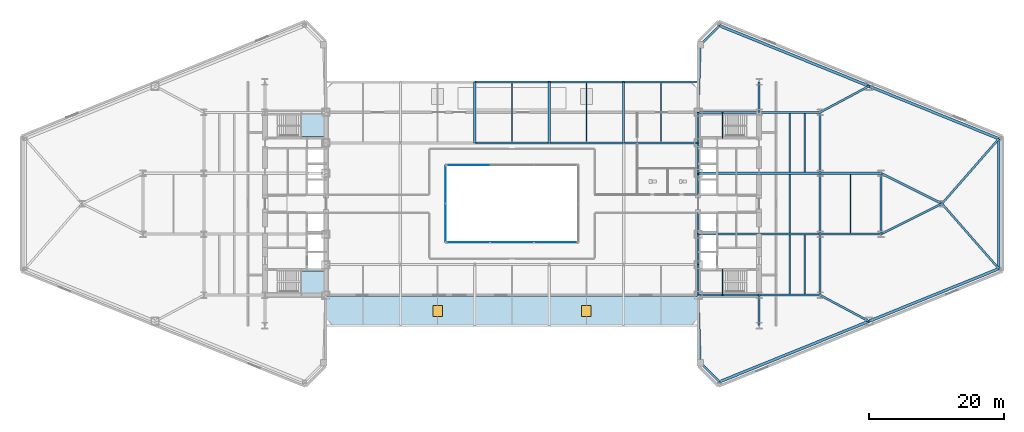
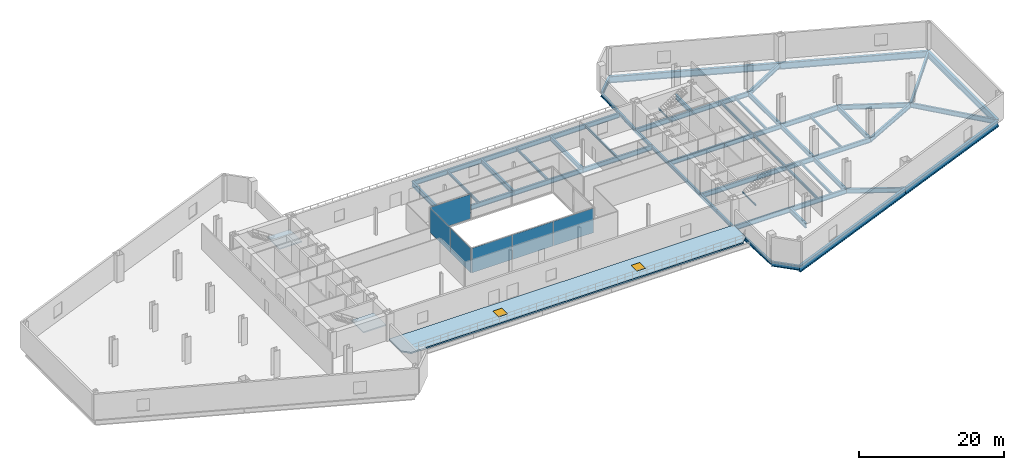
# One storey, part 13 of 23: 56 beams, 6 plates, 3 slabs, 2 windows, 2 openings, 5 elements without a shape of their own.
"""IFC4 building model written with IfcOpenShell, lengths in metres."""

from ifc_helpers import new_model, si_unit, direction, frame, origin, origin_2d, place, context, subcontext, project, spatial, polyline, rectangle, i_section, outline, extrude, source, transform, mapped, material, layer, layer_set, material_profile, profile_set, type_object, type_shapes, element, fill, aggregate, save


model = new_model("IFC4")

# Units and contexts
model_context = context("Model", 3, precision=1e-05, world=origin(), true_north=direction((0.0, 1.0)))
body_context = subcontext(model_context, "Body", "Model", "MODEL_VIEW")
ifc_project = project(units=[si_unit("LENGTHUNIT", "METRE"), si_unit("AREAUNIT", "SQUARE_METRE"), si_unit("VOLUMEUNIT", "CUBIC_METRE"), si_unit("PLANEANGLEUNIT", "RADIAN"), si_unit("MASSUNIT", "GRAM", prefix="KILO")], contexts=[model_context])

# Site, building, storey
site_placement = place(None, origin())
site = spatial("IfcSite", under=ifc_project, at=site_placement, CompositionType="ELEMENT")
building_placement = place(site_placement, origin())
building = spatial("IfcBuilding", under=site, at=building_placement, Name="Seokmaru Belvedere", CompositionType="ELEMENT")
storey_placement = place(building_placement, frame((0.0, 0.0, 14.39990234375)))
storey = spatial("IfcBuildingStorey", under=building, at=storey_placement, Name="L03", CompositionType="ELEMENT", Elevation=14.39990234375)

# Beams
ifc_material_1 = material(Name="Steel SM355 (355 MPa)", Category="steel")
ifc_material_profile_1 = material_profile(ifc_material_1, i_section(OverallWidth=0.300048828125, OverallDepth=0.587890625, WebThickness=0.011962890625, FlangeThickness=0.02001953125, at=origin_2d()), Name="H-588x300x12x20")
ifc_profile_set_1 = profile_set([ifc_material_profile_1], Name="Steel SM355 (355 MPa)")
beam_type_1 = type_object("IfcBeamType", Name="Podium Edge Spandrel Beam H-588", PredefinedType="SPANDREL", material=ifc_profile_set_1)
shared_shape_1 = source(origin(), body_context, "Body", "SweptSolid", [
    extrude(i_section(OverallWidth=0.300048828125, OverallDepth=0.587890625, WebThickness=0.011962890625, FlangeThickness=0.02001953125, at=origin_2d()), origin(), (0.0, 0.0, 1.0), 4.5),
])
for number, where, z_axis, x_axis, name in (
    (1, (27.5, -13.5, -0.573974609375), (0.0, 1.0, 0.0), (-1.0, 0.0, 0.0), "L03 E Portal Spine Spandrel 1"),
    (2, (27.5, -9.0, -0.573974609375), (0.0, 1.0, 0.0), (-1.0, 0.0, 0.0), "L03 E Portal Spine Spandrel 2"),
    (3, (27.5, 4.5, -0.573974609375), (0.0, 1.0, 0.0), (-1.0, 0.0, 0.0), "L03 E Portal Spine Spandrel 4"),
    (4, (27.5, 9.0, -0.573974609375), (0.0, 1.0, 0.0), (-1.0, 0.0, 0.0), "L03 E Portal Spine Spandrel 5"),
):
    element("IfcBeam", number, at=place(storey_placement, frame(where, z_axis=z_axis, x_axis=x_axis)), inside=storey, type_object=beam_type_1, Name=name, PredefinedType="SPANDREL", context=body_context, shape_type="MappedRepresentation", body=[
        mapped(shared_shape_1, transform((0.0, 0.0, 0.0), scale=1.0)),
    ])
shared_shape_2 = source(origin(), body_context, "Body", "SweptSolid", [
    extrude(i_section(OverallWidth=0.300048828125, OverallDepth=0.587890625, WebThickness=0.011962890625, FlangeThickness=0.02001953125, at=origin_2d()), origin(), (0.0, 0.0, 1.0), 9.0),
])
beam_1_placement = place(storey_placement, frame((27.5, -4.5, -0.573974609375), z_axis=(0.0, 1.0, 0.0), x_axis=(-1.0, 0.0, 0.0)))
element("IfcBeam", 5, at=beam_1_placement, inside=storey, type_object=beam_type_1, Name="L03 E Portal Spine Spandrel 3", PredefinedType="SPANDREL", context=body_context, shape_type="MappedRepresentation", body=[
    mapped(shared_shape_2, transform((0.0, 0.0, 0.0), scale=1.0)),
])
ifc_material_profile_2 = material_profile(ifc_material_1, i_section(OverallWidth=0.39990234375, OverallDepth=1.10009765625, WebThickness=0.02001953125, FlangeThickness=0.033935546875, at=origin_2d()), Name="BH-1100x400x20x34")
ifc_profile_set_2 = profile_set([ifc_material_profile_2], Name="Steel SM355 (355 MPa)")
beam_type_2 = type_object("IfcBeamType", Name="Sky-Gate Transverse Girder BH-1100", PredefinedType="BEAM", material=ifc_profile_set_2)
shared_shape_3 = source(origin(), body_context, "Body", "SweptSolid", [
    extrude(i_section(OverallWidth=0.39990234375, OverallDepth=1.10009765625, WebThickness=0.02001953125, FlangeThickness=0.033935546875, at=origin_2d()), origin(), (0.0, 0.0, 1.0), 23.811767578125),
])
for number, where, z_axis, x_axis, name in (
    (6, (30.643310546875, -26.294677734375, -0.829833984375), (0.92694579442, 0.375195274766, 0.0), (-0.375195274766, 0.92694579442, 0.0), "L03 E Podium Long-Span Flank Girder S-1"),
    (7, (30.643310546875, 26.294677734375, -0.829833984375), (0.92694579442, -0.375195274766, 0.0), (0.375195274766, 0.92694579442, 0.0), "L03 E Podium Long-Span Flank Girder N-1"),
):
    element("IfcBeam", number, at=place(storey_placement, frame(where, z_axis=z_axis, x_axis=x_axis)), inside=storey, type_object=beam_type_2, Name=name, PredefinedType="BEAM", context=body_context, shape_type="MappedRepresentation", body=[
        mapped(shared_shape_3, transform((0.0, 0.0, 0.0), scale=1.0)),
    ])
shared_shape_4 = source(origin(), body_context, "Body", "SweptSolid", [
    extrude(i_section(OverallWidth=0.39990234375, OverallDepth=1.10009765625, WebThickness=0.02001953125, FlangeThickness=0.033935546875, at=origin_2d()), origin(), (0.0, 0.0, 1.0), 20.6962890625),
])
for number, where, z_axis, x_axis, name in (
    (8, (52.715576171875, -17.360595703125, -0.829833984375), (0.92695003666, 0.37518479385, 0.0), (-0.37518479385, 0.92695003666, 0.0), "L03 E Podium Long-Span Flank Girder S-2"),
    (9, (52.715576171875, 17.360595703125, -0.829833984375), (0.92695003666, -0.37518479385, 0.0), (0.37518479385, 0.92695003666, 0.0), "L03 E Podium Long-Span Flank Girder N-2"),
):
    element("IfcBeam", number, at=place(storey_placement, frame(where, z_axis=z_axis, x_axis=x_axis)), inside=storey, type_object=beam_type_2, Name=name, PredefinedType="BEAM", context=body_context, shape_type="MappedRepresentation", body=[
        mapped(shared_shape_4, transform((0.0, 0.0, 0.0), scale=1.0)),
    ])
shared_shape_5 = source(origin(), body_context, "Body", "SweptSolid", [
    extrude(i_section(OverallWidth=0.39990234375, OverallDepth=1.10009765625, WebThickness=0.02001953125, FlangeThickness=0.033935546875, at=origin_2d()), origin(), (0.0, 0.0, 1.0), 19.19140625),
])
type_shapes(beam_type_2, [shared_shape_3, shared_shape_4, shared_shape_5])
beam_2_placement = place(storey_placement, frame((71.89990234375, -9.595703125, -0.829833984375), z_axis=(0.0, 1.0, 0.0), x_axis=(-1.0, 0.0, 0.0)))
element("IfcBeam", 10, at=beam_2_placement, inside=storey, type_object=beam_type_2, Name="L03 E Podium Long-Span Apex Girder", PredefinedType="BEAM", context=body_context, shape_type="MappedRepresentation", body=[
    mapped(shared_shape_5, transform((0.0, 0.0, 0.0), scale=1.0)),
])
shared_shape_6 = source(origin(), body_context, "Body", "SweptSolid", [
    extrude(i_section(OverallWidth=0.300048828125, OverallDepth=0.587890625, WebThickness=0.011962890625, FlangeThickness=0.02001953125, at=origin_2d()), origin(), (0.0, 0.0, 1.0), 9.9560546875),
])
type_shapes(beam_type_1, [shared_shape_1, shared_shape_2, shared_shape_6])
for number, where, z_axis, x_axis, name in (
    (11, (27.800048828125, -23.451416015625, -0.573974609375), (-0.030137674137, 0.999545757131, 0.0), (-0.999545757131, -0.030137674137, 0.0), "L03 E Podium Spine Shoulder Tie S"),
    (12, (27.800048828125, 23.451416015625, -0.573974609375), (-0.030137674137, -0.999545757131, 0.0), (0.999545757131, -0.030137674137, 0.0), "L03 E Podium Spine Shoulder Tie N"),
):
    element("IfcBeam", number, at=place(storey_placement, frame(where, z_axis=z_axis, x_axis=x_axis)), inside=storey, type_object=beam_type_1, Name=name, PredefinedType="SPANDREL", context=body_context, shape_type="MappedRepresentation", body=[
        mapped(shared_shape_6, transform((0.0, 0.0, 0.0), scale=1.0)),
    ])
ifc_material_profile_3 = material_profile(ifc_material_1, i_section(OverallWidth=0.300048828125, OverallDepth=0.800048828125, WebThickness=0.013916015625, FlangeThickness=0.02587890625, at=origin_2d()), Name="H-800x300x14x26")
ifc_profile_set_3 = profile_set([ifc_material_profile_3], Name="Steel SM355 (355 MPa)")
beam_type_3 = type_object("IfcBeamType", Name="Podium Primary Girder H-800", PredefinedType="BEAM", material=ifc_profile_set_3)
shared_shape_7 = source(origin(), body_context, "Body", "SweptSolid", [
    extrude(i_section(OverallWidth=0.300048828125, OverallDepth=0.800048828125, WebThickness=0.013916015625, FlangeThickness=0.02587890625, at=origin_2d()), origin(), (0.0, 0.0, 1.0), 4.5),
])
for number, where, z_axis, x_axis, name in (
    (13, (36.5, -18.0, -0.679931640625), (0.0, 1.0, 0.0), (-1.0, 0.0, 0.0), "L03 E Core Shoulder Girder S"),
    (14, (36.5, 13.5, -0.679931640625), (0.0, 1.0, 0.0), (-1.0, 0.0, 0.0), "L03 E Core Shoulder Girder N"),
):
    element("IfcBeam", number, at=place(storey_placement, frame(where, z_axis=z_axis, x_axis=x_axis)), inside=storey, type_object=beam_type_3, Name=name, PredefinedType="BEAM", context=body_context, shape_type="MappedRepresentation", body=[
        mapped(shared_shape_7, transform((0.0, 0.0, 0.0), scale=1.0)),
    ])
shared_shape_8 = source(origin(), body_context, "Body", "SweptSolid", [
    extrude(i_section(OverallWidth=0.300048828125, OverallDepth=0.800048828125, WebThickness=0.013916015625, FlangeThickness=0.02587890625, at=origin_2d()), origin(), (0.0, 0.0, 1.0), 9.0),
])
for number, where, z_axis, x_axis, name in (
    (15, (45.5, -13.5, -0.679931640625), (0.0, 1.0, 0.0), (-1.0, 0.0, 0.0), "L03 E Interior Grid Girder 1"),
    (16, (45.5, -4.5, -0.679931640625), (0.0, 1.0, 0.0), (-1.0, 0.0, 0.0), "L03 E Interior Grid Girder 2"),
    (17, (45.5, 4.5, -0.679931640625), (0.0, 1.0, 0.0), (-1.0, 0.0, 0.0), "L03 E Interior Grid Girder 3"),
    (18, (27.5, -13.5, -0.679931640625), (1.0, 0.0, 0.0), (0.0, 1.0, 0.0), "L03 E Core Tie Girder 1"),
    (19, (36.5, -13.5, -0.679931640625), (1.0, 0.0, 0.0), (0.0, 1.0, 0.0), "L03 E Wing Primary Girder 1"),
    (20, (27.5, -4.5, -0.679931640625), (1.0, 0.0, 0.0), (0.0, 1.0, 0.0), "L03 E Core Tie Girder 2"),
    (21, (36.5, -4.5, -0.679931640625), (1.0, 0.0, 0.0), (0.0, 1.0, 0.0), "L03 E Wing Primary Girder 2"),
    (22, (27.5, 4.5, -0.679931640625), (1.0, 0.0, 0.0), (0.0, 1.0, 0.0), "L03 E Core Tie Girder 3"),
    (23, (36.5, 4.5, -0.679931640625), (1.0, 0.0, 0.0), (0.0, 1.0, 0.0), "L03 E Wing Primary Girder 3"),
    (24, (27.5, 13.5, -0.679931640625), (1.0, 0.0, 0.0), (0.0, 1.0, 0.0), "L03 E Core Tie Girder 4"),
    (25, (36.5, 13.5, -0.679931640625), (1.0, 0.0, 0.0), (0.0, 1.0, 0.0), "L03 E Wing Primary Girder 4"),
    (26, (45.5, -4.5, -0.679931640625), (1.0, 0.0, 0.0), (0.0, 1.0, 0.0), "L03 E Outer Wing Girder 1"),
    (27, (45.5, 4.5, -0.679931640625), (1.0, 0.0, 0.0), (0.0, 1.0, 0.0), "L03 E Outer Wing Girder 2"),
    (28, (54.5, -4.5, -0.679931640625), (0.0, 1.0, 0.0), (-1.0, 0.0, 0.0), "L03 E Apex Frame Girder"),
    (29, (-5.5, 9.0, -0.679931640625), (0.0, 1.0, 0.0), (-1.0, 0.0, 0.0), "L03 Central Podium Transverse Girder 2-3"),
    (30, (5.5, 9.0, -0.679931640625), (0.0, 1.0, 0.0), (-1.0, 0.0, 0.0), "L03 Central Podium Transverse Girder 3-3"),
    (31, (16.5, 9.0, -0.679931640625), (0.0, 1.0, 0.0), (-1.0, 0.0, 0.0), "L03 Central Podium Transverse Girder 4-3"),
):
    element("IfcBeam", number, at=place(storey_placement, frame(where, z_axis=z_axis, x_axis=x_axis)), inside=storey, type_object=beam_type_3, Name=name, PredefinedType="BEAM", context=body_context, shape_type="MappedRepresentation", body=[
        mapped(shared_shape_8, transform((0.0, 0.0, 0.0), scale=1.0)),
    ])
shared_shape_9 = source(origin(), body_context, "Body", "SweptSolid", [
    extrude(i_section(OverallWidth=0.300048828125, OverallDepth=0.800048828125, WebThickness=0.013916015625, FlangeThickness=0.02587890625, at=origin_2d()), origin(), (0.0, 0.0, 1.0), 10.062255859375),
])
for number, where, z_axis, x_axis, name in (
    (32, (54.5, -4.5, -0.679931640625), (0.894427191, 0.4472135955, 0.0), (-0.4472135955, 0.894427191, 0.0), "L03 E Apex Converging Girder 1"),
    (33, (54.5, 4.5, -0.679931640625), (0.894427191, -0.4472135955, 0.0), (0.4472135955, 0.894427191, 0.0), "L03 E Apex Converging Girder 2"),
):
    element("IfcBeam", number, at=place(storey_placement, frame(where, z_axis=z_axis, x_axis=x_axis)), inside=storey, type_object=beam_type_3, Name=name, PredefinedType="BEAM", context=body_context, shape_type="MappedRepresentation", body=[
        mapped(shared_shape_9, transform((0.0, 0.0, 0.0), scale=1.0)),
    ])
ifc_material_profile_4 = material_profile(ifc_material_1, i_section(OverallWidth=0.199951171875, OverallDepth=0.449951171875, WebThickness=0.009033203125, FlangeThickness=0.013916015625, at=origin_2d()), Name="H-450x200x9x14")
ifc_profile_set_4 = profile_set([ifc_material_profile_4], Name="Steel SM355 (355 MPa)")
beam_type_4 = type_object("IfcBeamType", Name="Podium Secondary Joist H-450", PredefinedType="JOIST", material=ifc_profile_set_4)
shared_shape_10 = source(origin(), body_context, "Body", "SweptSolid", [
    extrude(i_section(OverallWidth=0.199951171875, OverallDepth=0.449951171875, WebThickness=0.009033203125, FlangeThickness=0.013916015625, at=origin_2d()), origin(), (0.0, 0.0, 1.0), 8.68994140625),
])
type_shapes(beam_type_4, [shared_shape_10])
for number, where, z_axis, x_axis, name in (
    (34, (43.25, -13.344970703125, -0.5048828125), (0.0, 1.0, 0.0), (-1.0, 0.0, 0.0), "L03 E Wing Inner Secondary Joist 1"),
    (35, (43.25, 4.655029296875, -0.5048828125), (0.0, 1.0, 0.0), (-1.0, 0.0, 0.0), "L03 E Wing Inner Secondary Joist 2"),
    (36, (41.0, -13.344970703125, -0.5048828125), (0.0, 1.0, 0.0), (-1.0, 0.0, 0.0), "L03 E Secondary Floor Joist 1"),
    (37, (41.0, -4.344970703125, -0.5048828125), (0.0, 1.0, 0.0), (-1.0, 0.0, 0.0), "L03 E Secondary Floor Joist 2"),
    (38, (41.0, 4.655029296875, -0.5048828125), (0.0, 1.0, 0.0), (-1.0, 0.0, 0.0), "L03 E Secondary Floor Joist 3"),
    (39, (50.0, -4.344970703125, -0.5048828125), (0.0, 1.0, 0.0), (-1.0, 0.0, 0.0), "L03 E Outer Bay Secondary Joist"),
    (40, (0.0, 9.155029296875, -0.5048828125), (0.0, 1.0, 0.0), (-1.0, 0.0, 0.0), "L03 Central Podium Secondary Joist 3-3"),
    (41, (11.0, 9.155029296875, -0.5048828125), (0.0, 1.0, 0.0), (-1.0, 0.0, 0.0), "L03 Central Podium Secondary Joist 4-3"),
    (42, (22.0, 9.155029296875, -0.5048828125), (0.0, 1.0, 0.0), (-1.0, 0.0, 0.0), "L03 Central Podium Secondary Joist 5-3"),
):
    element("IfcBeam", number, at=place(storey_placement, frame(where, z_axis=z_axis, x_axis=x_axis)), inside=storey, type_object=beam_type_4, Name=name, PredefinedType="JOIST", context=body_context, shape_type="MappedRepresentation", body=[
        mapped(shared_shape_10, transform((0.0, 0.0, 0.0), scale=1.0)),
    ])
shared_shape_11 = source(origin(), body_context, "Body", "SweptSolid", [
    extrude(i_section(OverallWidth=0.300048828125, OverallDepth=0.800048828125, WebThickness=0.013916015625, FlangeThickness=0.02587890625, at=origin_2d()), origin(), (0.0, 0.0, 1.0), 4.02099609375),
])
for number, where, z_axis, x_axis, name in (
    (43, (30.643310546875, -26.294677734375, -0.679931640625), (-0.707106781187, 0.707106781187, 0.0), (-0.707106781187, -0.707106781187, 0.0), "L03 E Podium South Shoulder Girder"),
    (44, (30.643310546875, 26.294677734375, -0.679931640625), (-0.707106781187, -0.707106781187, 0.0), (0.707106781187, -0.707106781187, 0.0), "L03 E Podium North Shoulder Girder"),
):
    element("IfcBeam", number, at=place(storey_placement, frame(where, z_axis=z_axis, x_axis=x_axis)), inside=storey, type_object=beam_type_3, Name=name, PredefinedType="BEAM", context=body_context, shape_type="MappedRepresentation", body=[
        mapped(shared_shape_11, transform((0.0, 0.0, 0.0), scale=1.0)),
    ])
shared_shape_12 = source(origin(), body_context, "Body", "SweptSolid", [
    extrude(i_section(OverallWidth=0.300048828125, OverallDepth=0.800048828125, WebThickness=0.013916015625, FlangeThickness=0.02587890625, at=origin_2d()), origin(), (0.0, 0.0, 1.0), 8.183349609375),
])
for number, where, z_axis, x_axis, name in (
    (45, (52.715576171875, -17.360595703125, -0.679931640625), (-0.881728657166, 0.47175690258, 0.0), (-0.47175690258, -0.881728657166, 0.0), "L03 E Flank Radial Floor Girder S-2"),
    (46, (52.715576171875, 17.360595703125, -0.679931640625), (-0.881728657166, -0.47175690258, 0.0), (0.47175690258, -0.881728657166, 0.0), "L03 E Flank Radial Floor Girder N-2"),
):
    element("IfcBeam", number, at=place(storey_placement, frame(where, z_axis=z_axis, x_axis=x_axis)), inside=storey, type_object=beam_type_3, Name=name, PredefinedType="BEAM", context=body_context, shape_type="MappedRepresentation", body=[
        mapped(shared_shape_12, transform((0.0, 0.0, 0.0), scale=1.0)),
    ])
shared_shape_13 = source(origin(), body_context, "Body", "SweptSolid", [
    extrude(i_section(OverallWidth=0.300048828125, OverallDepth=0.800048828125, WebThickness=0.013916015625, FlangeThickness=0.02587890625, at=origin_2d()), origin(), (0.0, 0.0, 1.0), 12.7529296875),
])
for number, where, z_axis, x_axis, name in (
    (47, (71.89990234375, -9.595703125, -0.679931640625), (-0.658667231479, 0.752434368019, 0.0), (-0.752434368019, -0.658667231479, 0.0), "L03 E Apex Radial Floor Girder 1"),
    (48, (71.89990234375, 9.595703125, -0.679931640625), (-0.658667231479, -0.752434368019, 0.0), (0.752434368019, -0.658667231479, 0.0), "L03 E Apex Radial Floor Girder 2"),
):
    element("IfcBeam", number, at=place(storey_placement, frame(where, z_axis=z_axis, x_axis=x_axis)), inside=storey, type_object=beam_type_3, Name=name, PredefinedType="BEAM", context=body_context, shape_type="MappedRepresentation", body=[
        mapped(shared_shape_13, transform((0.0, 0.0, 0.0), scale=1.0)),
    ])
shared_shape_14 = source(origin(), body_context, "Body", "SweptSolid", [
    extrude(i_section(OverallWidth=0.300048828125, OverallDepth=0.800048828125, WebThickness=0.013916015625, FlangeThickness=0.02587890625, at=origin_2d()), origin(), (0.0, 0.0, 1.0), 11.0),
])
type_shapes(beam_type_3, [shared_shape_7, shared_shape_8, shared_shape_9, shared_shape_11, shared_shape_12, shared_shape_13, shared_shape_14])
for number, where, z_axis, x_axis, name in (
    (49, (-5.5, 9.0, -0.679931640625), (1.0, 0.0, 0.0), (0.0, 1.0, 0.0), "L03 Central Podium Girder 3-3"),
    (50, (5.5, 9.0, -0.679931640625), (1.0, 0.0, 0.0), (0.0, 1.0, 0.0), "L03 Central Podium Girder 3-4"),
    (51, (16.5, 9.0, -0.679931640625), (1.0, 0.0, 0.0), (0.0, 1.0, 0.0), "L03 Central Podium Girder 3-5"),
    (52, (-5.5, 18.0, -0.679931640625), (1.0, 0.0, 0.0), (0.0, 1.0, 0.0), "L03 Central Podium Girder 4-3"),
    (53, (5.5, 18.0, -0.679931640625), (1.0, 0.0, 0.0), (0.0, 1.0, 0.0), "L03 Central Podium Girder 4-4"),
    (54, (16.5, 18.0, -0.679931640625), (1.0, 0.0, 0.0), (0.0, 1.0, 0.0), "L03 Central Podium Girder 4-5"),
):
    element("IfcBeam", number, at=place(storey_placement, frame(where, z_axis=z_axis, x_axis=x_axis)), inside=storey, type_object=beam_type_3, Name=name, PredefinedType="BEAM", context=body_context, shape_type="MappedRepresentation", body=[
        mapped(shared_shape_14, transform((0.0, 0.0, 0.0), scale=1.0)),
    ])
ifc_material_profile_5 = material_profile(ifc_material_1, i_section(OverallWidth=0.125, OverallDepth=0.25, WebThickness=0.006103515625, FlangeThickness=0.009033203125, at=origin_2d()), Name="H-250x125x6x9")
ifc_profile_set_5 = profile_set([ifc_material_profile_5], Name="Steel SM355 (355 MPa)")
beam_type_5 = type_object("IfcBeamType", Name="Stair Mid-Landing Support Beam H-250", PredefinedType="JOIST", material=ifc_profile_set_5)
shared_shape_15 = source(origin(), body_context, "Body", "SweptSolid", [
    extrude(i_section(OverallWidth=0.125, OverallDepth=0.25, WebThickness=0.006103515625, FlangeThickness=0.009033203125, at=origin_2d()), origin(), (0.0, 0.0, 1.0), 3.800048828125),
])
type_shapes(beam_type_5, [shared_shape_15])
for number, where, z_axis, x_axis, name in (
    (55, (31.090087890625, -13.5, 1.925048828125), (0.0, 1.0, 0.0), (-1.0, 0.0, 0.0), "L03 Stair ST-E1 Mid-Landing Support Beam 1"),
    (56, (31.090087890625, 9.699951171875, 1.925048828125), (0.0, 1.0, 0.0), (-1.0, 0.0, 0.0), "L03 Stair ST-E2 Mid-Landing Support Beam 1"),
):
    element("IfcBeam", number, at=place(storey_placement, frame(where, z_axis=z_axis, x_axis=x_axis)), inside=storey, type_object=beam_type_5, Name=name, PredefinedType="JOIST", context=body_context, shape_type="MappedRepresentation", body=[
        mapped(shared_shape_15, transform((0.0, 0.0, 0.0), scale=1.0)),
    ])

# Slab, openings, windows
ifc_material_2 = material(Name="Concrete C40 (40 MPa)", Category="concrete")
ifc_layer_1 = layer(ifc_material_2, 0.239990234375)
ifc_layer_set_1 = layer_set([ifc_layer_1], Name="Concrete C40 (40 MPa)")
slab_type_1 = type_object("IfcSlabType", Name="Planted Garden Terrace Slab 240", PredefinedType="ROOF", material=ifc_layer_set_1)
slab_1_placement = place(storey_placement, frame((0.0, 0.0, -0.239990234375)))
slab_1 = element("IfcSlab", 57, at=slab_1_placement, inside=storey, type_object=slab_type_1, Name="L03 Cascading Planted Garden Terrace South", PredefinedType="ROOF", context=body_context, shape_type="SweptSolid", body=[
    extrude(outline(polyline([(-26.449951171875, -18.0), (26.449951171875, -18.0), (27.449951171875, -17.0), (27.449951171875, -13.659912109375), (-27.449951171875, -13.659912109375), (-27.449951171875, -17.0), (-26.449951171875, -18.0)])), origin(), (0.0, 0.0, 1.0), 0.239990234375),
])
opening_1_placement = place(slab_1_placement, frame((-11.0, -15.830078125, -0.010009765625)))
opening_1 = element("IfcOpeningElement", 58, at=opening_1_placement, cuts=slab_1, Name="Opening SK3", PredefinedType="OPENING", context=body_context, shape_type="SweptSolid", body=[
    extrude(rectangle(XDim=1.39990234375, YDim=1.60009765625, at=origin_2d()), origin(), (0.0, 0.0, 1.0), 0.260009765625),
])
opening_2_placement = place(slab_1_placement, frame((11.0, -15.830078125, -0.010009765625)))
opening_2 = element("IfcOpeningElement", 59, at=opening_2_placement, cuts=slab_1, Name="Opening SK3", PredefinedType="OPENING", context=body_context, shape_type="SweptSolid", body=[
    extrude(rectangle(XDim=1.39990234375, YDim=1.60009765625, at=origin_2d()), origin(), (0.0, 0.0, 1.0), 0.260009765625),
])
ifc_material_3 = material(Name="Bronze Triple Insulating Glass", Category="glass")
window_type = type_object("IfcWindowType", Name="Podium Concourse Roof Atrium Skylight 1400x1600", PartitioningType="SINGLE_PANEL", PredefinedType="SKYLIGHT", material=ifc_material_3)
window_1_placement = place(opening_1_placement, frame((0.0, 0.0, 0.199951171875)))
window_1 = element("IfcWindow", 60, at=window_1_placement, inside=storey, type_object=window_type, Name="L03 South Podium Roof Atrium Skylight 1", OverallHeight=1.60009765625, OverallWidth=1.39990234375, PartitioningType="SINGLE_PANEL", PredefinedType="SKYLIGHT", context=body_context, shape_type="SweptSolid", body=[
    extrude(rectangle(XDim=1.39990234375, YDim=1.60009765625, at=origin_2d()), origin(), (0.0, 0.0, 1.0), 0.050048828125),
])
fill(opening_1, window_1)
window_2_placement = place(opening_2_placement, frame((0.0, 0.0, 0.199951171875)))
window_2 = element("IfcWindow", 61, at=window_2_placement, inside=storey, type_object=window_type, Name="L03 South Podium Roof Atrium Skylight 2", OverallHeight=1.60009765625, OverallWidth=1.39990234375, PartitioningType="SINGLE_PANEL", PredefinedType="SKYLIGHT", context=body_context, shape_type="SweptSolid", body=[
    extrude(rectangle(XDim=1.39990234375, YDim=1.60009765625, at=origin_2d()), origin(), (0.0, 0.0, 1.0), 0.050048828125),
])
fill(opening_2, window_2)

# Stair, slab
stair_type = type_object("IfcStairType", Name="Cascading Podium Core Dog-Leg Stair 4500", PredefinedType="TWO_STRAIGHT_RUN_STAIR", material=ifc_material_2)
stair_1_placement = place(storey_placement, origin())
stair_1 = element("IfcStair", 62, at=stair_1_placement, inside=storey, type_object=stair_type, Name="L03 Special Escape Stair ST-W1", PredefinedType="TWO_STRAIGHT_RUN_STAIR")
ifc_layer_2 = layer(ifc_material_2, 0.199951171875)
ifc_layer_set_2 = layer_set([ifc_layer_2], Name="Concrete C40 (40 MPa)")
slab_type_2 = type_object("IfcSlabType", Name="Reinforced Concrete Stair Landing Slab 200", PredefinedType="LANDING", material=ifc_layer_set_2)
slab_2_placement = place(storey_placement, frame((0.0, 0.0, 2.050048828125)))
slab_2 = element("IfcSlab", 63, at=slab_2_placement, type_object=slab_type_2, Name="ST-W1 landing 1", PredefinedType="LANDING", context=body_context, shape_type="SweptSolid", body=[
    extrude(outline(polyline([(-31.320068359375, -13.239990234375), (-27.760009765625, -13.239990234375), (-27.760009765625, -9.949951171875), (-31.320068359375, -9.949951171875), (-31.320068359375, -13.239990234375)])), origin(), (0.0, 0.0, 1.0), 0.199951171875),
])
aggregate(stair_1, [slab_2])

stair_2_placement = place(storey_placement, origin())
stair_2 = element("IfcStair", 64, at=stair_2_placement, inside=storey, type_object=stair_type, Name="L03 Special Escape Stair ST-W2", PredefinedType="TWO_STRAIGHT_RUN_STAIR")
slab_3_placement = place(storey_placement, frame((0.0, 0.0, 2.050048828125)))
slab_3 = element("IfcSlab", 65, at=slab_3_placement, type_object=slab_type_2, Name="ST-W2 landing 1", PredefinedType="LANDING", context=body_context, shape_type="SweptSolid", body=[
    extrude(outline(polyline([(-31.320068359375, 9.949951171875), (-27.760009765625, 9.949951171875), (-27.760009765625, 13.239990234375), (-31.320068359375, 13.239990234375), (-31.320068359375, 9.949951171875)])), origin(), (0.0, 0.0, 1.0), 0.199951171875),
])
aggregate(stair_2, [slab_3])

# Curtain wall, plates
ifc_layer_3 = layer(ifc_material_3, 0.219970703125)
ifc_layer_set_3 = layer_set([ifc_layer_3], Name="Bronze Triple Insulating Glass")
curtain_wall_type = type_object("IfcCurtainWallType", Name="Podium Concourse Curtain Wall System CW-1", PredefinedType="NOTDEFINED", material=ifc_layer_set_3)
curtain_wall_1_placement = place(storey_placement, origin())
curtain_wall_1 = element("IfcCurtainWall", 66, at=curtain_wall_1_placement, inside=storey, type_object=curtain_wall_type, Name="L03 Curtain Wall AT_S", PredefinedType="NOTDEFINED")
ifc_layer_4 = layer(ifc_material_3, 0.035888671875)
ifc_layer_set_4 = layer_set([ifc_layer_4], Name="Bronze Triple Insulating Glass")
plate_type = type_object("IfcPlateType", Name="Bronze Triple Vision Glazing Panel 36", PredefinedType="CURTAIN_PANEL", material=ifc_layer_set_4)
shared_shape_16 = source(origin(), body_context, "Body", "SweptSolid", [
    extrude(rectangle(XDim=6.39990234375, YDim=0.035888671875, at=origin_2d()), origin(), (0.0, 0.0, 1.0), 4.1298828125),
])
plate_1_placement = place(storey_placement, frame((-6.5, -5.699951171875, 0.0751953125), z_axis=(0.0, 0.0, 1.0), x_axis=(1.0, 0.0, 0.0)))
plate_1 = element("IfcPlate", 67, at=plate_1_placement, type_object=plate_type, Name="CW:L03:AT_S Glazing Panel 1-1", PredefinedType="CURTAIN_PANEL", context=body_context, shape_type="MappedRepresentation", body=[
    mapped(shared_shape_16, transform((0.0, 0.0, 0.0), scale=1.0)),
])
plate_2_placement = place(storey_placement, frame((6.5, -5.699951171875, 0.0751953125), z_axis=(0.0, 0.0, 1.0), x_axis=(1.0, 0.0, 0.0)))
plate_2 = element("IfcPlate", 68, at=plate_2_placement, type_object=plate_type, Name="CW:L03:AT_S Glazing Panel 3-1", PredefinedType="CURTAIN_PANEL", context=body_context, shape_type="MappedRepresentation", body=[
    mapped(shared_shape_16, transform((0.0, 0.0, 0.0), scale=1.0)),
])

# Curtain wall, plate
curtain_wall_2_placement = place(storey_placement, origin())
curtain_wall_2 = element("IfcCurtainWall", 69, at=curtain_wall_2_placement, inside=storey, type_object=curtain_wall_type, Name="L03 Curtain Wall AT_N", PredefinedType="NOTDEFINED")
plate_3_placement = place(storey_placement, frame((-6.5, 5.699951171875, 0.0751953125), z_axis=(0.0, 0.0, 1.0), x_axis=(-1.0, 0.0, 0.0)))
plate_3 = element("IfcPlate", 70, at=plate_3_placement, type_object=plate_type, Name="CW:L03:AT_N Glazing Panel 3-1", PredefinedType="CURTAIN_PANEL", context=body_context, shape_type="MappedRepresentation", body=[
    mapped(shared_shape_16, transform((0.0, 0.0, 0.0), scale=1.0)),
])
aggregate(curtain_wall_2, [plate_3])

# Plate
shared_shape_17 = source(origin(), body_context, "Body", "SweptSolid", [
    extrude(rectangle(XDim=6.43994140625, YDim=0.035888671875, at=origin_2d()), origin(), (0.0, 0.0, 1.0), 4.1298828125),
])
plate_4_placement = place(storey_placement, frame((0.0, -5.699951171875, 0.0751953125), z_axis=(0.0, 0.0, 1.0), x_axis=(1.0, 0.0, 0.0)))
plate_4 = element("IfcPlate", 71, at=plate_4_placement, type_object=plate_type, Name="CW:L03:AT_S Glazing Panel 2-1", PredefinedType="CURTAIN_PANEL", context=body_context, shape_type="MappedRepresentation", body=[
    mapped(shared_shape_17, transform((0.0, 0.0, 0.0), scale=1.0)),
])

aggregate(curtain_wall_1, [plate_1, plate_4, plate_2])

# Curtain wall, plates
curtain_wall_3_placement = place(storey_placement, origin())
curtain_wall_3 = element("IfcCurtainWall", 72, at=curtain_wall_3_placement, inside=storey, type_object=curtain_wall_type, Name="L03 Curtain Wall AT_W", PredefinedType="NOTDEFINED")
shared_shape_18 = source(origin(), body_context, "Body", "SweptSolid", [
    extrude(rectangle(XDim=5.56005859375, YDim=0.035888671875, at=origin_2d()), origin(), (0.0, 0.0, 1.0), 4.1298828125),
])
type_shapes(plate_type, [shared_shape_16, shared_shape_17, shared_shape_18])
plate_5_placement = place(storey_placement, frame((-9.800048828125, 2.820068359375, 0.0751953125), z_axis=(0.0, 0.0, 1.0), x_axis=(0.0, -1.0, 0.0)))
plate_5 = element("IfcPlate", 73, at=plate_5_placement, type_object=plate_type, Name="CW:L03:AT_W Glazing Panel 1-1", PredefinedType="CURTAIN_PANEL", context=body_context, shape_type="MappedRepresentation", body=[
    mapped(shared_shape_18, transform((0.0, 0.0, 0.0), scale=1.0)),
])
plate_6_placement = place(storey_placement, frame((-9.800048828125, -2.820068359375, 0.0751953125), z_axis=(0.0, 0.0, 1.0), x_axis=(0.0, -1.0, 0.0)))
plate_6 = element("IfcPlate", 74, at=plate_6_placement, type_object=plate_type, Name="CW:L03:AT_W Glazing Panel 2-1", PredefinedType="CURTAIN_PANEL", context=body_context, shape_type="MappedRepresentation", body=[
    mapped(shared_shape_18, transform((0.0, 0.0, 0.0), scale=1.0)),
])
aggregate(curtain_wall_3, [plate_5, plate_6])

save(model, "model.ifc")
